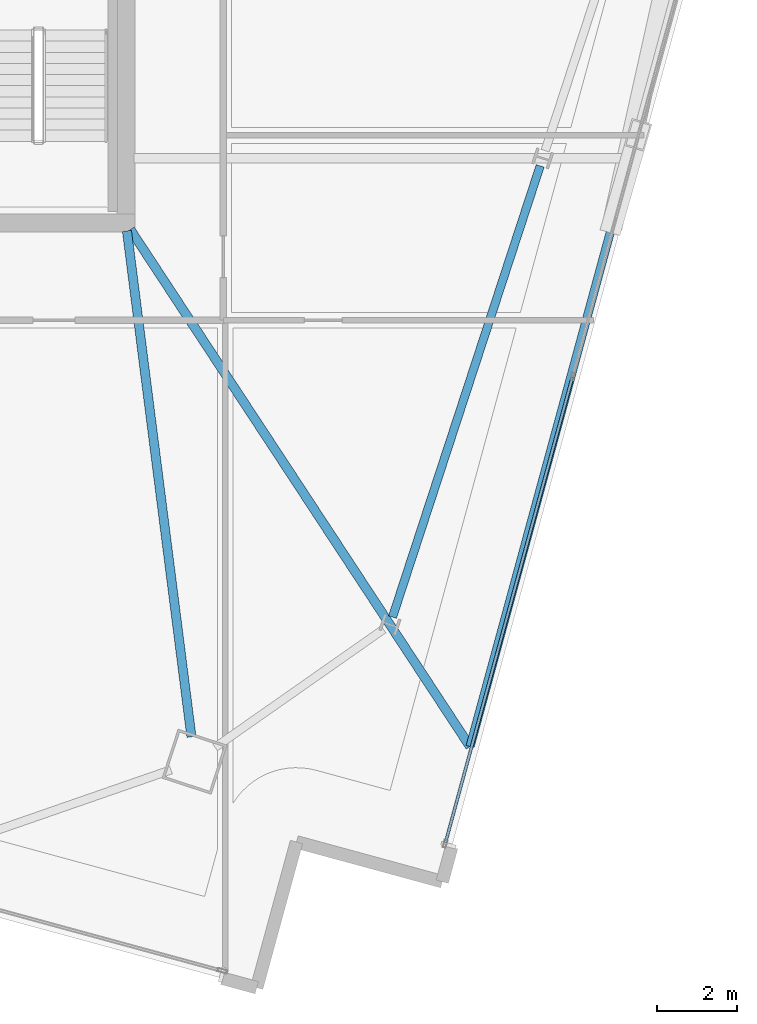
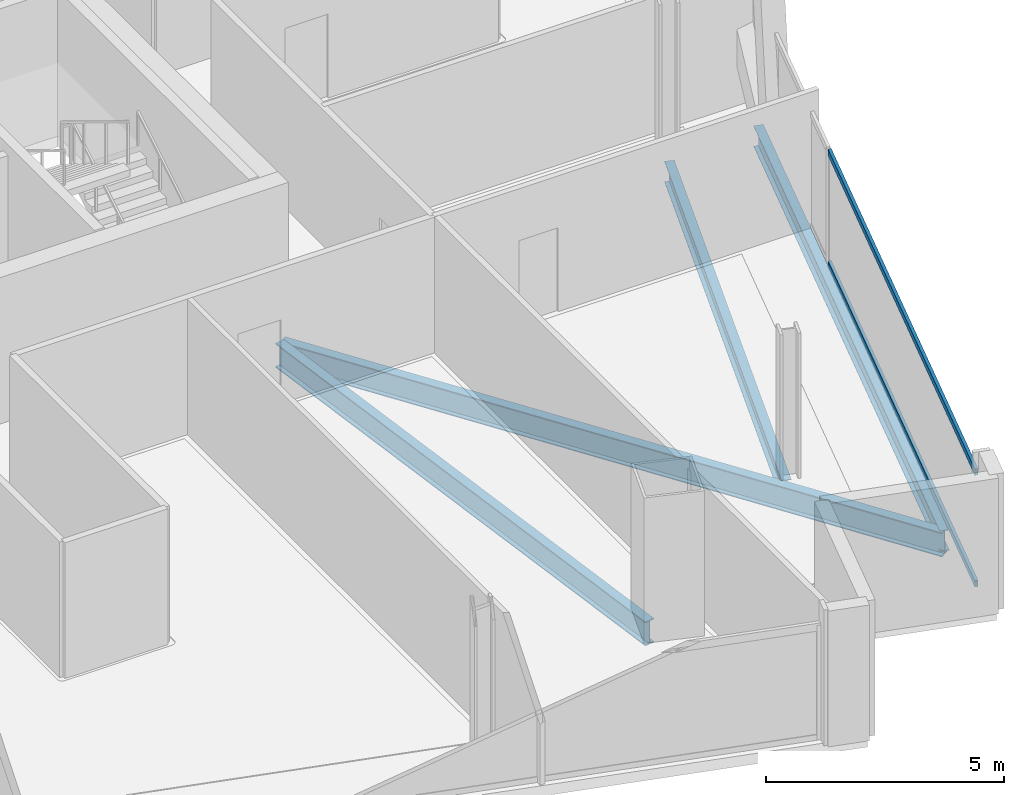
# One storey, part 8 of 26: 4 beams, 2 members, 1 element without a shape of its own.
"""IFC4 building model written with IfcOpenShell, lengths in metres."""

from ifc_helpers import new_model, si_unit, direction, frame, origin, origin_2d, place, context, subcontext, project, spatial, hollow_rectangle, i_section, extrude, material, material_profile, profile_set, type_object, element, aggregate, save


model = new_model("IFC4")

# Units and contexts
model_context = context("Model", 3, precision=1e-05, world=origin(), true_north=direction((0.0, 1.0)))
body_context = subcontext(model_context, "Body", "Model", "MODEL_VIEW")
ifc_project = project(units=[si_unit("LENGTHUNIT", "METRE"), si_unit("AREAUNIT", "SQUARE_METRE"), si_unit("VOLUMEUNIT", "CUBIC_METRE"), si_unit("PLANEANGLEUNIT", "RADIAN"), si_unit("MASSUNIT", "GRAM", prefix="KILO")], contexts=[model_context])

# Site, building, storey
site_placement = place(None, origin())
site = spatial("IfcSite", under=ifc_project, at=site_placement, CompositionType="ELEMENT")
building_placement = place(site_placement, origin())
building = spatial("IfcBuilding", under=site, at=building_placement, Name="Haldenkirk Collegiate Tower", CompositionType="ELEMENT")
storey_placement = place(building_placement, frame((0.0, 0.0, 278.699951171875)))
storey = spatial("IfcBuildingStorey", under=building, at=storey_placement, Name="L70", CompositionType="ELEMENT", Elevation=278.699951171875)

# Beams
ifc_material_1 = material(Name="Steel ASTM A992 Grade 50", Category="steel")
ifc_material_profile_1 = material_profile(ifc_material_1, i_section(OverallWidth=0.22998046875, OverallDepth=0.616943359375, WebThickness=0.01318359375, FlangeThickness=0.022216796875, at=origin_2d()), Name="W24X94")
ifc_profile_set_1 = profile_set([ifc_material_profile_1], Name="Steel ASTM A992 Grade 50")
beam_type_1 = type_object("IfcBeamType", Name="BM-GIRDER-W24X94", PredefinedType="BEAM", material=ifc_profile_set_1)
beam_1_placement = place(storey_placement, frame((46.6484375, 5.0693359375, -0.578369140625), z_axis=(-0.126462976839, 0.991971327957, 0.0), x_axis=(-0.991971327957, -0.126462976839, 0.0)))
element("IfcBeam", 1, at=beam_1_placement, inside=storey, type_object=beam_type_1, Name="L70 primary floor girder 01", PredefinedType="BEAM", context=body_context, shape_type="SweptSolid", body=[
    extrude(i_section(OverallWidth=0.22998046875, OverallDepth=0.616943359375, WebThickness=0.01318359375, FlangeThickness=0.022216796875, at=origin_2d()), origin(), (0.0, 0.0, 1.0), 12.830322265625),
])
beam_2_placement = place(storey_placement, frame((53.65673828125, 4.82373046875, -0.578369140625), z_axis=(-0.549093665595, 0.835760818897, 0.0), x_axis=(-0.835760818897, -0.549093665595, 0.0)))
element("IfcBeam", 2, at=beam_2_placement, inside=storey, type_object=beam_type_1, Name="L70 primary floor girder 05", PredefinedType="BEAM", context=body_context, shape_type="SweptSolid", body=[
    extrude(i_section(OverallWidth=0.22998046875, OverallDepth=0.616943359375, WebThickness=0.01318359375, FlangeThickness=0.022216796875, at=origin_2d()), origin(), (0.0, 0.0, 1.0), 15.560546875),
])
ifc_material_profile_2 = material_profile(ifc_material_1, i_section(OverallWidth=0.2099609375, OverallDepth=0.537109375, WebThickness=0.010986328125, FlangeThickness=0.017333984375, at=origin_2d()), Name="W21X68")
ifc_profile_set_2 = profile_set([ifc_material_profile_2], Name="Steel ASTM A992 Grade 50")
beam_type_2 = type_object("IfcBeamType", Name="BM-SPANDREL-W21X68", PredefinedType="SPANDREL", material=ifc_profile_set_2)
beam_3_placement = place(storey_placement, frame((51.7060546875, 8.081298828125, -0.538330078125), z_axis=(0.311010188249, 0.950406577631, 0.0), x_axis=(-0.950406577631, 0.311010188249, 0.0)))
element("IfcBeam", 3, at=beam_3_placement, inside=storey, type_object=beam_type_2, Name="L70 perimeter spandrel beam 02", PredefinedType="SPANDREL", context=body_context, shape_type="SweptSolid", body=[
    extrude(i_section(OverallWidth=0.2099609375, OverallDepth=0.537109375, WebThickness=0.010986328125, FlangeThickness=0.017333984375, at=origin_2d()), origin(), (0.0, 0.0, 1.0), 11.94287109375),
])
beam_4_placement = place(storey_placement, frame((53.65673828125, 4.82373046875, -0.538330078125), z_axis=(0.263035261408, 0.964786220494, 0.0), x_axis=(-0.964786220494, 0.263035261408, 0.0)))
element("IfcBeam", 4, at=beam_4_placement, inside=storey, type_object=beam_type_2, Name="L70 outer facade edge beam 1A", PredefinedType="SPANDREL", context=body_context, shape_type="SweptSolid", body=[
    extrude(i_section(OverallWidth=0.2099609375, OverallDepth=0.537109375, WebThickness=0.010986328125, FlangeThickness=0.017333984375, at=origin_2d()), origin(), (0.0, 0.0, 1.0), 15.3408203125),
])

# Curtain wall, members
ifc_material_2 = material(Name="Anodised architectural bronze aluminium", Category="aluminium")
curtain_wall_type = type_object("IfcCurtainWallType", Name="CW-SYS2-CONCAVE", PredefinedType="USERDEFINED", material=ifc_material_2)
curtain_wall_placement = place(storey_placement, origin())
curtain_wall = element("IfcCurtainWall", 5, at=curtain_wall_placement, inside=storey, type_object=curtain_wall_type, Name="L70 South concave recessed bronze-anodised curtain wall", ObjectType="UNITISED CURTAIN WALL", PredefinedType="USERDEFINED")
ifc_material_profile_3 = material_profile(ifc_material_2, hollow_rectangle(XDim=0.074951171875, YDim=0.159912109375, WallThickness=0.0048828125, at=origin_2d()), Name="CW-TRN-02")
ifc_profile_set_3 = profile_set([ifc_material_profile_3], Name="Anodised architectural bronze aluminium")
member_type = type_object("IfcMemberType", Name="CW-TRN-02", PredefinedType="USERDEFINED", material=ifc_profile_set_3)
member_1_placement = place(storey_placement, frame((56.228759765625, 14.106201171875, 0.03759765625), z_axis=(-0.263035596959, -0.964786129011, 0.0), x_axis=(0.964786129011, -0.263035596959, 0.0)))
member_1 = element("IfcMember", 6, at=member_1_placement, type_object=member_type, Name="CW-02 transom 3.1", ObjectType="TRANSOM", PredefinedType="USERDEFINED", context=body_context, shape_type="SweptSolid", body=[
    extrude(hollow_rectangle(XDim=0.074951171875, YDim=0.159912109375, WallThickness=0.0048828125, at=origin_2d()), origin(), (0.0, 0.0, 1.0), 12.120849609375),
])
member_2_placement = place(storey_placement, frame((56.228759765625, 14.106201171875, 2.900634765625), z_axis=(-0.263035596959, -0.964786129011, 0.0), x_axis=(0.964786129011, -0.263035596959, 0.0)))
member_2 = element("IfcMember", 7, at=member_2_placement, type_object=member_type, Name="CW-02 transom 3.2", ObjectType="TRANSOM", PredefinedType="USERDEFINED", context=body_context, shape_type="SweptSolid", body=[
    extrude(hollow_rectangle(XDim=0.074951171875, YDim=0.159912109375, WallThickness=0.0048828125, at=origin_2d()), origin(), (0.0, 0.0, 1.0), 12.120849609375),
])
aggregate(curtain_wall, [member_1, member_2])

save(model, "model.ifc")
